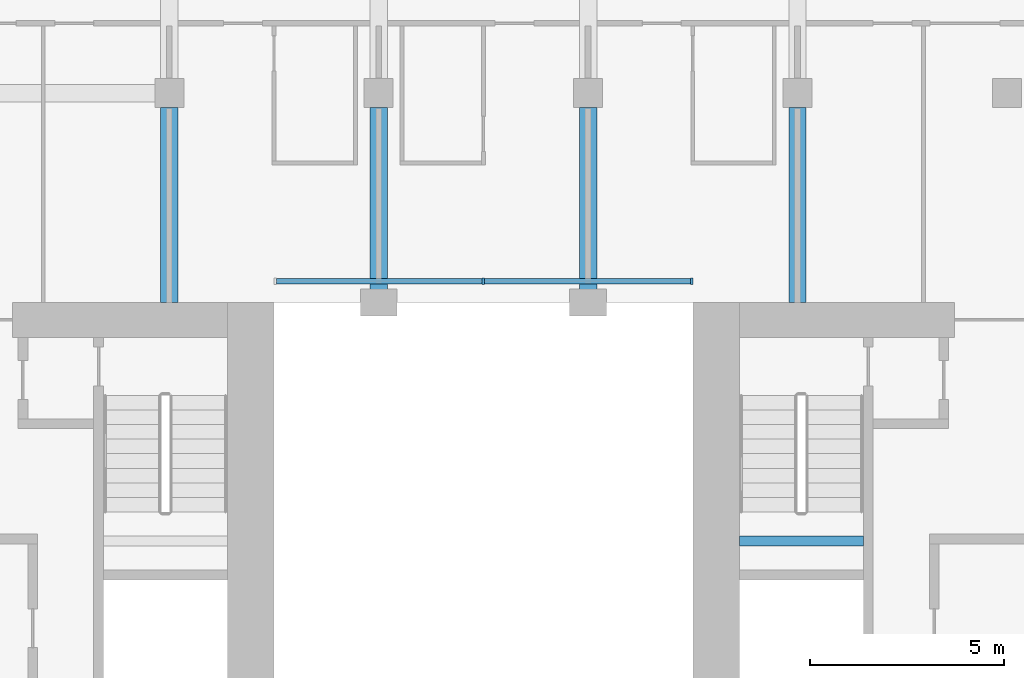
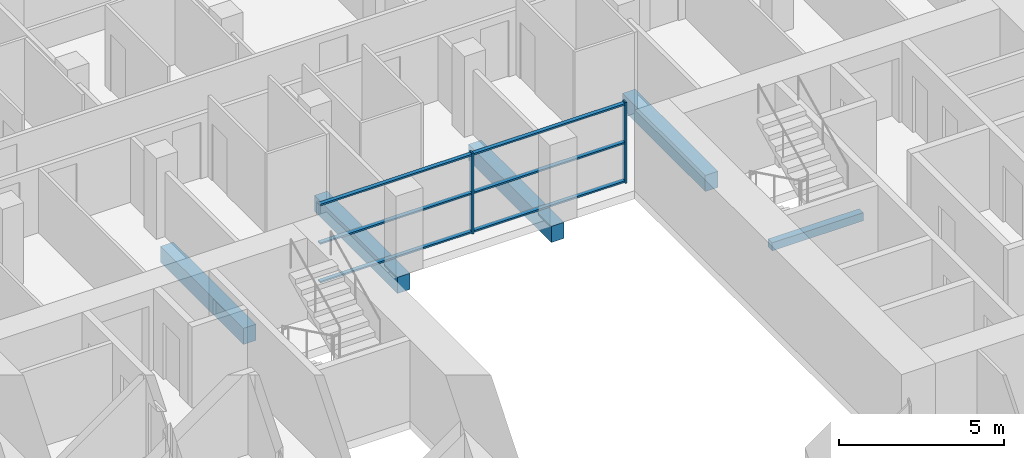
# One storey, part 4 of 14: 8 members, 5 beams, 1 element without a shape of its own.
"""IFC4 building model written with IfcOpenShell, lengths in metres."""

from ifc_helpers import new_model, si_unit, direction, frame, origin, origin_2d, place, context, subcontext, project, spatial, rectangle, extrude, material, material_profile, profile_set, type_object, element, aggregate, save


model = new_model("IFC4")

# Units and contexts
model_context = context("Model", 3, precision=1e-05, world=origin(), true_north=direction((0.0, 1.0)))
body_context = subcontext(model_context, "Body", "Model", "MODEL_VIEW")
ifc_project = project(units=[si_unit("LENGTHUNIT", "METRE"), si_unit("AREAUNIT", "SQUARE_METRE"), si_unit("VOLUMEUNIT", "CUBIC_METRE"), si_unit("PLANEANGLEUNIT", "RADIAN"), si_unit("MASSUNIT", "GRAM", prefix="KILO")], contexts=[model_context])

# Site, building, storey
site_placement = place(None, origin())
site = spatial("IfcSite", under=ifc_project, at=site_placement, CompositionType="ELEMENT")
building_placement = place(site_placement, origin())
building = spatial("IfcBuilding", under=site, at=building_placement, Name="Tabaq Tower and Sports Hall", CompositionType="ELEMENT")
storey_placement = place(building_placement, frame((0.0, 0.0, 217.0)))
storey = spatial("IfcBuildingStorey", under=building, at=storey_placement, Name="L54", CompositionType="ELEMENT", Elevation=217.0)

# Curtain wall, members
ifc_material_1 = material(Name="Aluminium alloy 6063-T6 framed glazing", Category="aluminium")
curtain_wall_type = type_object("IfcCurtainWallType", Name="CW1 curtain wall", PredefinedType="USERDEFINED", material=ifc_material_1)
curtain_wall_placement = place(storey_placement, origin())
curtain_wall = element("IfcCurtainWall", 1, at=curtain_wall_placement, inside=storey, type_object=curtain_wall_type, Name="Atrium glazing L54 N", ObjectType="ATRIUM ENCLOSURE", PredefinedType="USERDEFINED")
ifc_material_2 = material(Name="Aluminium alloy 6063-T6", Category="aluminium")
ifc_material_profile_1 = material_profile(ifc_material_2, rectangle(XDim=0.159912109375, YDim=0.06005859375, at=origin_2d()), Name="MULLION 160x60")
ifc_profile_set_1 = profile_set([ifc_material_profile_1], Name="Aluminium alloy 6063-T6")
member_type_1 = type_object("IfcMemberType", Name="CW1 mullion 160x60", PredefinedType="MULLION", material=ifc_profile_set_1)
member_1_placement = place(storey_placement, frame((24.300048828125, 32.949951171875, 0.0), z_axis=(0.0, 0.0, 1.0), x_axis=(0.0, 1.0, 0.0)))
member_1 = element("IfcMember", 2, at=member_1_placement, type_object=member_type_1, Name="CW1 mullion 2", PredefinedType="MULLION", context=body_context, shape_type="SweptSolid", body=[
    extrude(rectangle(XDim=0.159912109375, YDim=0.06005859375, at=origin_2d()), origin(), (0.0, 0.0, 1.0), 3.0),
])
member_2_placement = place(storey_placement, frame((29.669921875, 32.949951171875, 0.0), z_axis=(0.0, 0.0, 1.0), x_axis=(0.0, 1.0, 0.0)))
member_2 = element("IfcMember", 3, at=member_2_placement, type_object=member_type_1, Name="CW1 mullion 3", PredefinedType="MULLION", context=body_context, shape_type="SweptSolid", body=[
    extrude(rectangle(XDim=0.159912109375, YDim=0.06005859375, at=origin_2d()), origin(), (0.0, 0.0, 1.0), 3.0),
])
ifc_material_3 = material(Name="Aluminium alloy 6063-T6", Category="aluminium")
ifc_material_profile_2 = material_profile(ifc_material_3, rectangle(XDim=0.139892578125, YDim=0.06005859375, at=origin_2d()), Name="TRANSOM 140x60")
ifc_profile_set_2 = profile_set([ifc_material_profile_2], Name="Aluminium alloy 6063-T6")
member_type_2 = type_object("IfcMemberType", Name="CW1 transom 140x60", PredefinedType="USERDEFINED", material=ifc_profile_set_2)
member_3_placement = place(storey_placement, frame((18.9599609375, 32.949951171875, 0.070068359375), z_axis=(1.0, 0.0, 0.0), x_axis=(0.0, 1.0, 0.0)))
member_3 = element("IfcMember", 4, at=member_3_placement, type_object=member_type_2, Name="CW1 transom 1.1", ObjectType="TRANSOM", PredefinedType="USERDEFINED", context=body_context, shape_type="SweptSolid", body=[
    extrude(rectangle(XDim=0.139892578125, YDim=0.06005859375, at=origin_2d()), origin(), (0.0, 0.0, 1.0), 5.31005859375),
])
member_4_placement = place(storey_placement, frame((18.9599609375, 32.949951171875, 1.5), z_axis=(1.0, 0.0, 0.0), x_axis=(0.0, 1.0, 0.0)))
member_4 = element("IfcMember", 5, at=member_4_placement, type_object=member_type_2, Name="CW1 transom 1.2", ObjectType="TRANSOM", PredefinedType="USERDEFINED", context=body_context, shape_type="SweptSolid", body=[
    extrude(rectangle(XDim=0.139892578125, YDim=0.06005859375, at=origin_2d()), origin(), (0.0, 0.0, 1.0), 5.31005859375),
])
member_5_placement = place(storey_placement, frame((18.9599609375, 32.949951171875, 2.929931640625), z_axis=(1.0, 0.0, 0.0), x_axis=(0.0, 1.0, 0.0)))
member_5 = element("IfcMember", 6, at=member_5_placement, type_object=member_type_2, Name="CW1 transom 1.3", ObjectType="TRANSOM", PredefinedType="USERDEFINED", context=body_context, shape_type="SweptSolid", body=[
    extrude(rectangle(XDim=0.139892578125, YDim=0.06005859375, at=origin_2d()), origin(), (0.0, 0.0, 1.0), 5.31005859375),
])
member_6_placement = place(storey_placement, frame((24.330078125, 32.949951171875, 0.070068359375), z_axis=(1.0, 0.0, 0.0), x_axis=(0.0, 1.0, 0.0)))
member_6 = element("IfcMember", 7, at=member_6_placement, type_object=member_type_2, Name="CW1 transom 2.1", ObjectType="TRANSOM", PredefinedType="USERDEFINED", context=body_context, shape_type="SweptSolid", body=[
    extrude(rectangle(XDim=0.139892578125, YDim=0.06005859375, at=origin_2d()), origin(), (0.0, 0.0, 1.0), 5.309814453125),
])
member_7_placement = place(storey_placement, frame((24.330078125, 32.949951171875, 1.5), z_axis=(1.0, 0.0, 0.0), x_axis=(0.0, 1.0, 0.0)))
member_7 = element("IfcMember", 8, at=member_7_placement, type_object=member_type_2, Name="CW1 transom 2.2", ObjectType="TRANSOM", PredefinedType="USERDEFINED", context=body_context, shape_type="SweptSolid", body=[
    extrude(rectangle(XDim=0.139892578125, YDim=0.06005859375, at=origin_2d()), origin(), (0.0, 0.0, 1.0), 5.309814453125),
])
member_8_placement = place(storey_placement, frame((24.330078125, 32.949951171875, 2.929931640625), z_axis=(1.0, 0.0, 0.0), x_axis=(0.0, 1.0, 0.0)))
member_8 = element("IfcMember", 9, at=member_8_placement, type_object=member_type_2, Name="CW1 transom 2.3", ObjectType="TRANSOM", PredefinedType="USERDEFINED", context=body_context, shape_type="SweptSolid", body=[
    extrude(rectangle(XDim=0.139892578125, YDim=0.06005859375, at=origin_2d()), origin(), (0.0, 0.0, 1.0), 5.309814453125),
])
aggregate(curtain_wall, [member_1, member_2, member_3, member_4, member_5, member_6, member_7, member_8])

# Beams
ifc_material_4 = material(Name="Concrete C40/50", Category="concrete")
ifc_material_profile_3 = material_profile(ifc_material_4, rectangle(XDim=0.449951171875, YDim=0.60009765625, at=origin_2d()), Name="CB 450x600")
ifc_profile_set_3 = profile_set([ifc_material_profile_3], Name="Concrete C40/50")
beam_type_1 = type_object("IfcBeamType", Name="PT CANTILEVER BEAM CB 450x600 C40/50", PredefinedType="BEAM", material=ifc_profile_set_3)
for number, where, z_axis, x_axis, name in (
    (10, (16.199951171875, 37.425048828125, -0.60009765625), (0.0, -1.0, 0.0), (1.0, 0.0, 0.0), "Cantilever Beam L54 N3 span 3"),
    (11, (21.60009765625, 37.425048828125, -0.60009765625), (0.0, -1.0, 0.0), (1.0, 0.0, 0.0), "Cantilever Beam L54 N4 span 3"),
    (12, (27.0, 37.425048828125, -0.60009765625), (0.0, -1.0, 0.0), (1.0, 0.0, 0.0), "Cantilever Beam L54 N5 span 3"),
    (13, (32.39990234375, 37.425048828125, -0.60009765625), (0.0, -1.0, 0.0), (1.0, 0.0, 0.0), "Cantilever Beam L54 N6 span 3"),
):
    element("IfcBeam", number, at=place(storey_placement, frame(where, z_axis=z_axis, x_axis=x_axis)), inside=storey, type_object=beam_type_1, Name=name, PredefinedType="BEAM", context=body_context, shape_type="SweptSolid", body=[
        extrude(rectangle(XDim=0.449951171875, YDim=0.60009765625, at=origin_2d()), origin(), (0.0, 0.0, 1.0), 5.025146484375),
    ])
ifc_material_5 = material(Name="Concrete C40/50", Category="concrete")
ifc_material_profile_4 = material_profile(ifc_material_5, rectangle(XDim=0.25, YDim=0.300048828125, at=origin_2d()), Name="RC 250x300")
ifc_profile_set_4 = profile_set([ifc_material_profile_4], Name="Concrete C40/50")
beam_type_2 = type_object("IfcBeamType", Name="Stair landing beam 250x300", PredefinedType="BEAM", material=ifc_profile_set_4)
beam_placement = place(storey_placement, frame((30.89990234375, 26.25, 1.300048828125), z_axis=(1.0, 0.0, 0.0), x_axis=(0.0, 1.0, 0.0)))
element("IfcBeam", 14, at=beam_placement, inside=storey, type_object=beam_type_2, Name="L54 ST4 landing beam 1", PredefinedType="BEAM", context=body_context, shape_type="SweptSolid", body=[
    extrude(rectangle(XDim=0.25, YDim=0.300048828125, at=origin_2d()), origin(), (0.0, 0.0, 1.0), 3.2001953125),
])

save(model, "model.ifc")
